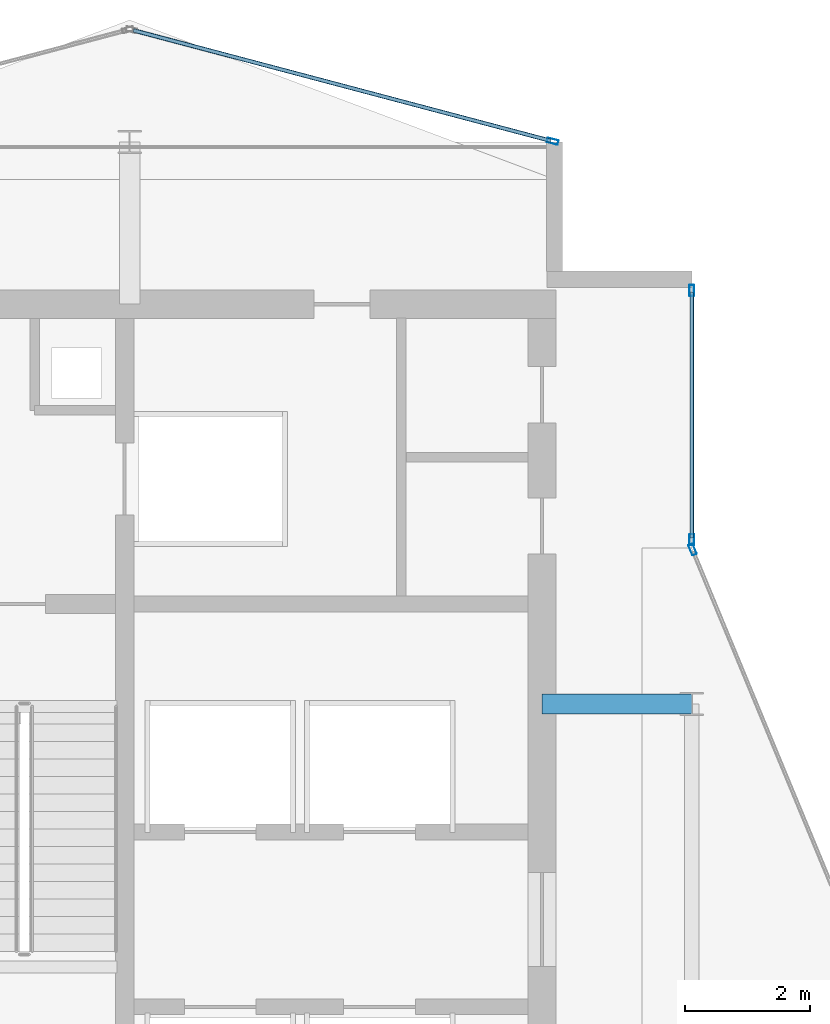
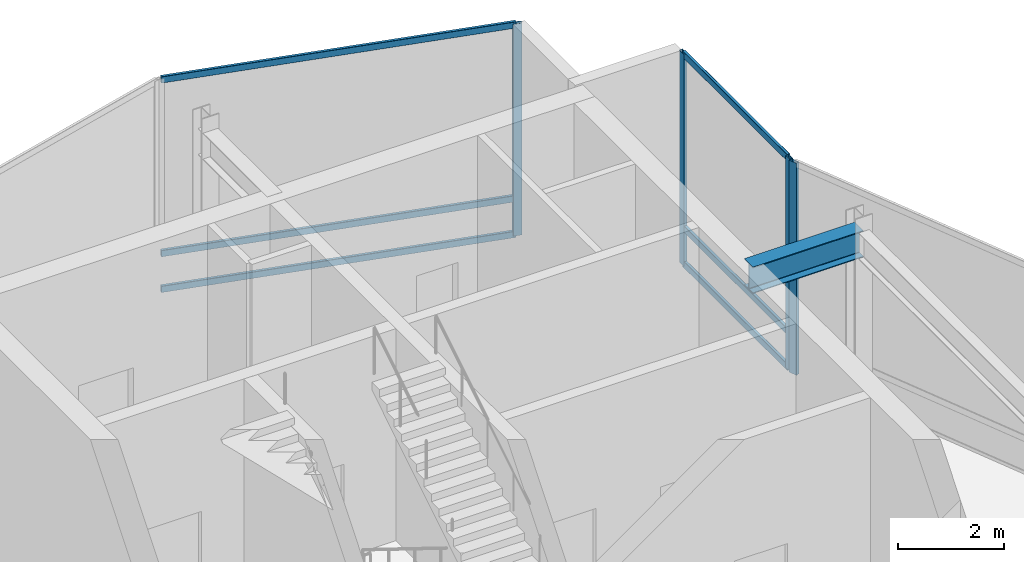
# One storey, part 14 of 21: 10 members, 1 beam, 3 elements without a shape of their own.
"""IFC4 building model written with IfcOpenShell, lengths in metres."""

from ifc_helpers import new_model, si_unit, direction, frame, origin, origin_2d, place, context, subcontext, project, spatial, hollow_rectangle, i_section, extrude, material, layer, layer_set, material_profile, profile_set, type_object, element, aggregate, save


model = new_model("IFC4")

# Units and contexts
model_context = context("Model", 3, precision=1e-05, world=origin(), true_north=direction((0.0, 1.0)))
body_context = subcontext(model_context, "Body", "Model", "MODEL_VIEW")
ifc_project = project(units=[si_unit("LENGTHUNIT", "METRE"), si_unit("AREAUNIT", "SQUARE_METRE"), si_unit("VOLUMEUNIT", "CUBIC_METRE"), si_unit("PLANEANGLEUNIT", "RADIAN"), si_unit("MASSUNIT", "GRAM", prefix="KILO")], contexts=[model_context])

# Site, building, storey
site_placement = place(None, origin())
site = spatial("IfcSite", under=ifc_project, at=site_placement, CompositionType="ELEMENT")
building_placement = place(site_placement, origin())
building = spatial("IfcBuilding", under=site, at=building_placement, Name="Solvaryn Broadcast Tower", CompositionType="ELEMENT")
storey_placement = place(building_placement, frame((0.0, 0.0, 297.39990234375)))
storey = spatial("IfcBuildingStorey", under=building, at=storey_placement, Name="L75", CompositionType="ELEMENT", Elevation=297.39990234375)

# Beam
ifc_material_1 = material(Name="Steel ASTM A992 Grade 50", Category="steel")
ifc_material_profile_1 = material_profile(ifc_material_1, i_section(OverallWidth=0.323974609375, OverallDepth=0.611083984375, WebThickness=0.0126953125, FlangeThickness=0.01904296875, FilletRadius=0.014892578125, at=origin_2d()))
ifc_profile_set_1 = profile_set([ifc_material_profile_1], Name="Steel ASTM A992 Grade 50")
beam_type = type_object("IfcBeamType", Name="BM-B1-W24X104", PredefinedType="BEAM", material=ifc_profile_set_1)
beam_placement = place(storey_placement, frame((24.60009765625, 36.0, 4.564697265625), z_axis=(1.0, 0.0, 0.0), x_axis=(0.0, 1.0, 0.0)))
element("IfcBeam", 1, at=beam_placement, inside=storey, type_object=beam_type, Name="L75 Core Tie Beam CTW2", PredefinedType="BEAM", context=body_context, shape_type="SweptSolid", body=[
    extrude(i_section(OverallWidth=0.323974609375, OverallDepth=0.611083984375, WebThickness=0.0126953125, FlangeThickness=0.01904296875, FilletRadius=0.014892578125, at=origin_2d()), origin(), (0.0, 0.0, 1.0), 2.39990234375),
])

# Curtain wall, members
ifc_material_2 = material(Name="Aluminium and Terracotta Unitised Curtain Wall", Category="masonry")
ifc_layer = layer(ifc_material_2, 0.260009765625)
ifc_layer_set = layer_set([ifc_layer], Name="CW-SYS5-DAMPER")
curtain_wall_type = type_object("IfcCurtainWallType", Name="CW-SYS5-DAMPER", PredefinedType="NOTDEFINED", material=ifc_layer_set)
curtain_wall_1_placement = place(storey_placement, origin())
curtain_wall_1 = element("IfcCurtainWall", 2, at=curtain_wall_1_placement, inside=storey, type_object=curtain_wall_type, Name="L75 Curtain Wall IV", PredefinedType="NOTDEFINED")
ifc_material_3 = material(Name="Anodised Aluminium 6063-T6", Category="aluminium")
ifc_material_profile_2 = material_profile(ifc_material_3, hollow_rectangle(XDim=0.074951171875, YDim=0.179931640625, WallThickness=0.00390625, InnerFilletRadius=0.00390625, OuterFilletRadius=0.008056640625, at=origin_2d()))
ifc_profile_set_2 = profile_set([ifc_material_profile_2], Name="Anodised Aluminium 6063-T6")
member_type_1 = type_object("IfcMemberType", Name="CW-MUL-180", PredefinedType="MULLION", material=ifc_profile_set_2)
member_1_placement = place(storey_placement, frame((27.0, 42.6201171875, 0.0), z_axis=(0.0, 0.0, 1.0), x_axis=(1.0, 0.0, 0.0)))
member_1 = element("IfcMember", 3, at=member_1_placement, type_object=member_type_1, Name="CWS5 mullion 1", PredefinedType="MULLION", context=body_context, shape_type="SweptSolid", body=[
    extrude(hollow_rectangle(XDim=0.074951171875, YDim=0.179931640625, WallThickness=0.00390625, InnerFilletRadius=0.00390625, OuterFilletRadius=0.008056640625, at=origin_2d()), origin(), (0.0, 0.0, 1.0), 4.8701171875),
])
member_2_placement = place(storey_placement, frame((27.0, 38.6298828125, 0.0), z_axis=(0.0, 0.0, 1.0), x_axis=(1.0, 0.0, 0.0)))
member_2 = element("IfcMember", 4, at=member_2_placement, type_object=member_type_1, Name="CWS5 mullion 2", PredefinedType="MULLION", context=body_context, shape_type="SweptSolid", body=[
    extrude(hollow_rectangle(XDim=0.074951171875, YDim=0.179931640625, WallThickness=0.00390625, InnerFilletRadius=0.00390625, OuterFilletRadius=0.008056640625, at=origin_2d()), origin(), (0.0, 0.0, 1.0), 4.8701171875),
])

# Curtain wall, member
curtain_wall_2_placement = place(storey_placement, origin())
curtain_wall_2 = element("IfcCurtainWall", 5, at=curtain_wall_2_placement, inside=storey, type_object=curtain_wall_type, Name="L75 Curtain Wall CN2", PredefinedType="NOTDEFINED")
member_3_placement = place(storey_placement, frame((27.011474609375, 38.47216796875, 0.0), z_axis=(0.0, 0.0, 1.0), x_axis=(-0.923894983957, -0.382646127145, 0.0)))
member_3 = element("IfcMember", 6, at=member_3_placement, type_object=member_type_1, Name="CWS5 mullion 2", PredefinedType="MULLION", context=body_context, shape_type="SweptSolid", body=[
    extrude(hollow_rectangle(XDim=0.074951171875, YDim=0.179931640625, WallThickness=0.00390625, InnerFilletRadius=0.00390625, OuterFilletRadius=0.008056640625, at=origin_2d()), origin(), (0.0, 0.0, 1.0), 4.8701171875),
])
aggregate(curtain_wall_2, [member_3])

curtain_wall_3_placement = place(storey_placement, origin())
curtain_wall_3 = element("IfcCurtainWall", 7, at=curtain_wall_3_placement, inside=storey, type_object=curtain_wall_type, Name="L75 Curtain Wall NT1", PredefinedType="NOTDEFINED")
member_4_placement = place(storey_placement, frame((24.77099609375, 45.007568359375, 0.0), z_axis=(0.0, 0.0, 1.0), x_axis=(-0.25589256031, -0.966705227863, 0.0)))
member_4 = element("IfcMember", 8, at=member_4_placement, type_object=member_type_1, Name="CWS5 mullion 1", PredefinedType="MULLION", context=body_context, shape_type="SweptSolid", body=[
    extrude(hollow_rectangle(XDim=0.074951171875, YDim=0.179931640625, WallThickness=0.00390625, InnerFilletRadius=0.00390625, OuterFilletRadius=0.008056640625, at=origin_2d()), origin(), (0.0, 0.0, 1.0), 4.8701171875),
])

# Member
ifc_material_4 = material(Name="Anodised Aluminium 6063-T6", Category="aluminium")
ifc_material_profile_3 = material_profile(ifc_material_4, hollow_rectangle(XDim=0.06494140625, YDim=0.14990234375, WallThickness=0.00390625, InnerFilletRadius=0.00390625, OuterFilletRadius=0.008056640625, at=origin_2d()))
ifc_profile_set_3 = profile_set([ifc_material_profile_3], Name="Anodised Aluminium 6063-T6")
member_type_2 = type_object("IfcMemberType", Name="CW-TRN-150", PredefinedType="USERDEFINED", material=ifc_profile_set_3)
member_5_placement = place(storey_placement, frame((27.0, 42.590087890625, 0.030029296875), z_axis=(0.0, -1.0, 0.0), x_axis=(1.0, 0.0, 0.0)))
member_5 = element("IfcMember", 9, at=member_5_placement, type_object=member_type_2, Name="CWS5 transom 1.1", ObjectType="TRANSOM", PredefinedType="USERDEFINED", context=body_context, shape_type="SweptSolid", body=[
    extrude(hollow_rectangle(XDim=0.06494140625, YDim=0.14990234375, WallThickness=0.00390625, InnerFilletRadius=0.00390625, OuterFilletRadius=0.008056640625, at=origin_2d()), origin(), (0.0, 0.0, 1.0), 3.93017578125),
])

member_6_placement = place(storey_placement, frame((27.0, 42.590087890625, 0.85009765625), z_axis=(0.0, -1.0, 0.0), x_axis=(1.0, 0.0, 0.0)))
member_6 = element("IfcMember", 10, at=member_6_placement, type_object=member_type_2, Name="CWS5 transom 1.2", ObjectType="TRANSOM", PredefinedType="USERDEFINED", context=body_context, shape_type="SweptSolid", body=[
    extrude(hollow_rectangle(XDim=0.06494140625, YDim=0.14990234375, WallThickness=0.00390625, InnerFilletRadius=0.00390625, OuterFilletRadius=0.008056640625, at=origin_2d()), origin(), (0.0, 0.0, 1.0), 3.93017578125),
])

member_7_placement = place(storey_placement, frame((27.0, 42.590087890625, 4.840087890625), z_axis=(0.0, -1.0, 0.0), x_axis=(1.0, 0.0, 0.0)))
member_7 = element("IfcMember", 11, at=member_7_placement, type_object=member_type_2, Name="CWS5 transom 1.3", ObjectType="TRANSOM", PredefinedType="USERDEFINED", context=body_context, shape_type="SweptSolid", body=[
    extrude(hollow_rectangle(XDim=0.06494140625, YDim=0.14990234375, WallThickness=0.00390625, InnerFilletRadius=0.00390625, OuterFilletRadius=0.008056640625, at=origin_2d()), origin(), (0.0, 0.0, 1.0), 3.93017578125),
])

aggregate(curtain_wall_1, [member_1, member_2, member_5, member_6, member_7])

member_8_placement = place(storey_placement, frame((24.741943359375, 45.015380859375, 0.030029296875), z_axis=(-0.966703943301, 0.255897413051, 0.0), x_axis=(-0.255897413051, -0.966703943301, 0.0)))
member_8 = element("IfcMember", 12, at=member_8_placement, type_object=member_type_2, Name="CWS5 transom 1.1", ObjectType="TRANSOM", PredefinedType="USERDEFINED", context=body_context, shape_type="SweptSolid", body=[
    extrude(hollow_rectangle(XDim=0.06494140625, YDim=0.14990234375, WallThickness=0.00390625, InnerFilletRadius=0.00390625, OuterFilletRadius=0.008056640625, at=origin_2d()), origin(), (0.0, 0.0, 1.0), 6.9140625),
])

member_9_placement = place(storey_placement, frame((24.741943359375, 45.015380859375, 0.85009765625), z_axis=(-0.966703943301, 0.255897413051, 0.0), x_axis=(-0.255897413051, -0.966703943301, 0.0)))
member_9 = element("IfcMember", 13, at=member_9_placement, type_object=member_type_2, Name="CWS5 transom 1.2", ObjectType="TRANSOM", PredefinedType="USERDEFINED", context=body_context, shape_type="SweptSolid", body=[
    extrude(hollow_rectangle(XDim=0.06494140625, YDim=0.14990234375, WallThickness=0.00390625, InnerFilletRadius=0.00390625, OuterFilletRadius=0.008056640625, at=origin_2d()), origin(), (0.0, 0.0, 1.0), 6.9140625),
])

member_10_placement = place(storey_placement, frame((24.741943359375, 45.015380859375, 4.840087890625), z_axis=(-0.966703943301, 0.255897413051, 0.0), x_axis=(-0.255897413051, -0.966703943301, 0.0)))
member_10 = element("IfcMember", 14, at=member_10_placement, type_object=member_type_2, Name="CWS5 transom 1.3", ObjectType="TRANSOM", PredefinedType="USERDEFINED", context=body_context, shape_type="SweptSolid", body=[
    extrude(hollow_rectangle(XDim=0.06494140625, YDim=0.14990234375, WallThickness=0.00390625, InnerFilletRadius=0.00390625, OuterFilletRadius=0.008056640625, at=origin_2d()), origin(), (0.0, 0.0, 1.0), 6.9140625),
])

aggregate(curtain_wall_3, [member_4, member_8, member_9, member_10])

save(model, "model.ifc")
